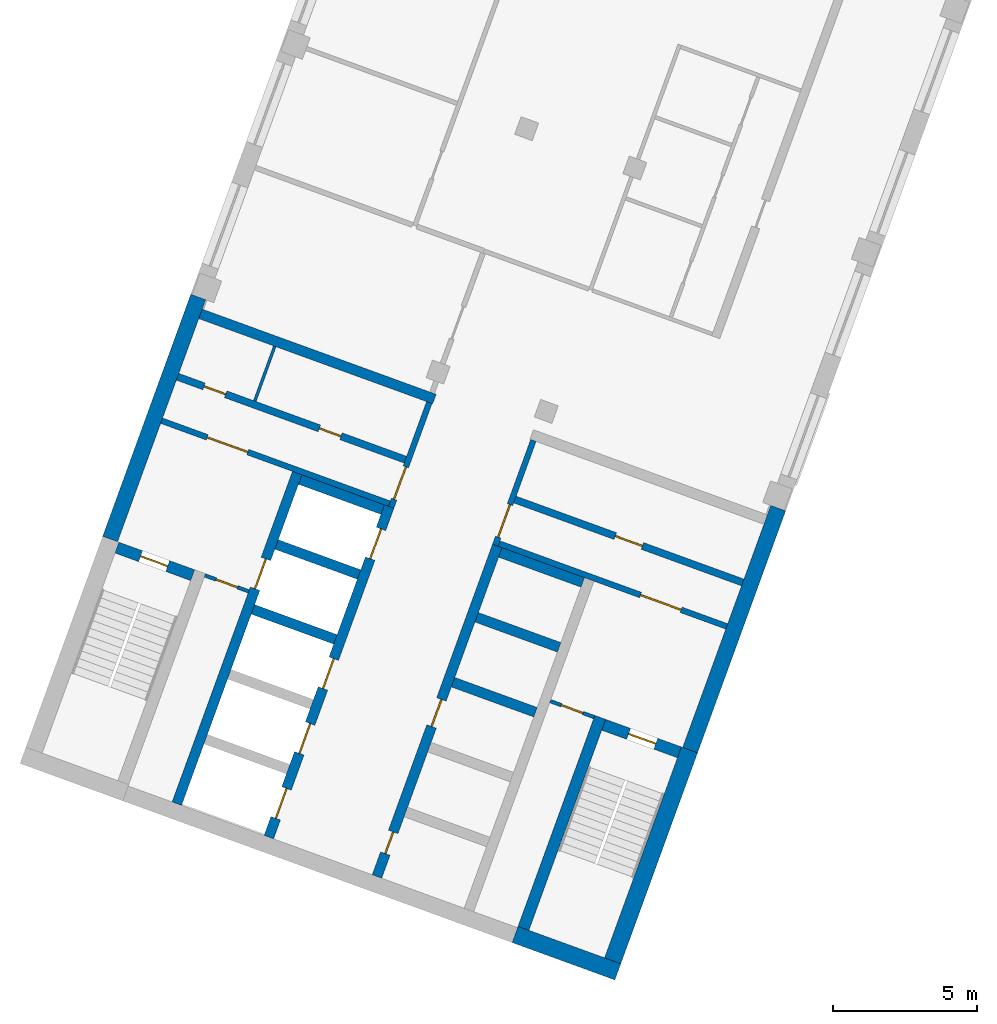
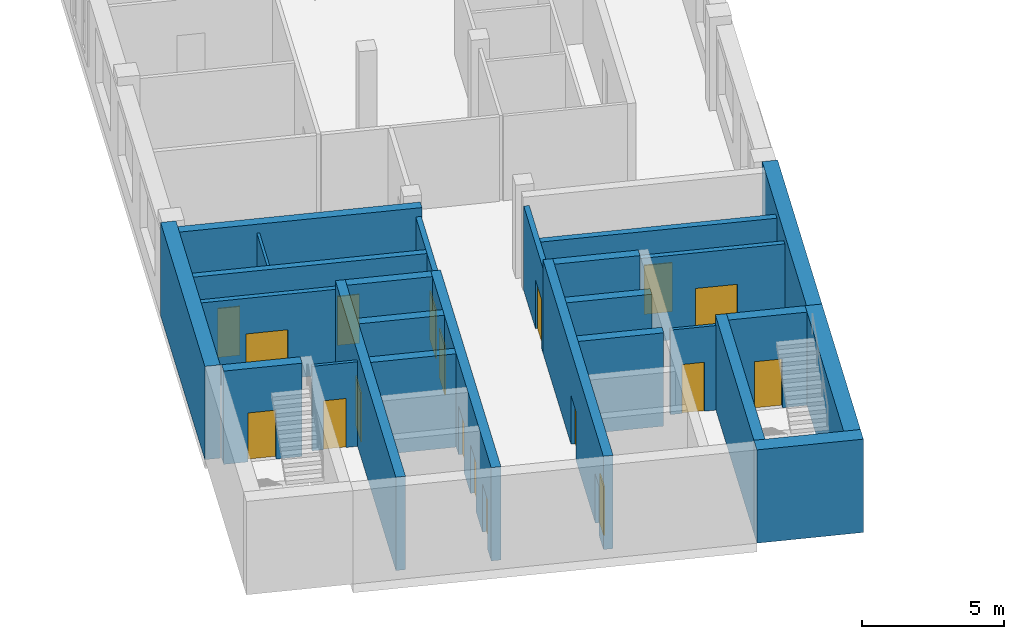
# One storey, part 2 of 8: 26 walls, 18 doors, 18 openings.
"""IFC4 building model written with IfcOpenShell, lengths in metres."""

import ifcopenshell
import ifcopenshell.guid

model = None  # the IFC model being written
_history = None  # IfcOwnerHistory: only IFC2X3 demands one
_inside = {}  # id of a spatial element -> (the spatial element, [elements in it])
_under = {}  # id of a project, library or spatial element -> (it, [spatial elements below it])
_declared = {}  # id of a project -> (the project, [libraries it declares])
_typed = {}  # id of a type object -> (the type object, [elements of that type])
_made_of = {}  # id of a material, layer set ... -> (it, [elements and type objects made of it])


def new_model(schema):
    """Start an empty IFC model of exactly this schema.

    Asked for "IFC4X3", IfcOpenShell would pick the latest addendum, in which some entities
    have other attributes; the version numbers below select the first issue.
    IFC2X3 requires an IfcOwnerHistory on every rooted entity: one is made here for all.
    """
    global model, _history
    if schema == "IFC4X3":
        model = ifcopenshell.file(schema_version=(4, 3, 0, 0))
    else:
        model = ifcopenshell.file(schema=schema)
    _inside.clear()
    _under.clear()
    _declared.clear()
    _typed.clear()
    _made_of.clear()
    _history = None
    if model.schema == "IFC2X3":
        org = make("IfcOrganization", Name="unknown")
        user = make(
            "IfcPersonAndOrganization",
            ThePerson=make("IfcPerson", FamilyName="unknown"),
            TheOrganization=org,
        )
        app = make(
            "IfcApplication",
            ApplicationDeveloper=org,
            Version="unknown",
            ApplicationFullName="unknown",
            ApplicationIdentifier="unknown",
        )
        _history = make(
            "IfcOwnerHistory",
            OwningUser=user,
            OwningApplication=app,
            ChangeAction="ADDED",
            CreationDate=0,
        )
    return model


def make(cls, **values):
    """One entity of the class cls with the attributes given. An attribute that is None is left unset."""
    return model.create_entity(
        cls, **{name: value for name, value in values.items() if value is not None}
    )


def rooted(cls, **values):
    """An entity with a GlobalId (a new one), such as an element, a storey or a relation."""
    return make(cls, GlobalId=ifcopenshell.guid.new(), OwnerHistory=_history, **values)


def si_unit(unit_type, name, prefix=None):
    """IfcSIUnit, for example si_unit("LENGTHUNIT", "METRE", prefix="MILLI")."""
    return make("IfcSIUnit", UnitType=unit_type, Prefix=prefix, Name=name)


def assignment(units):
    """IfcUnitAssignment: the units of a project."""
    return None if units is None else make("IfcUnitAssignment", Units=units)


def point(xyz):
    """IfcCartesianPoint."""
    return None if xyz is None else make("IfcCartesianPoint", Coordinates=xyz)


def direction(xyz):
    """IfcDirection."""
    return None if xyz is None else make("IfcDirection", DirectionRatios=xyz)


def frame(location, z_axis=None, x_axis=None):
    """IfcAxis2Placement3D, a coordinate frame: its origin and axes. An axis left out is left unset."""
    return make(
        "IfcAxis2Placement3D",
        Location=point(location),
        Axis=direction(z_axis),
        RefDirection=direction(x_axis),
    )


def frame_2d(location, x_axis=None):
    """IfcAxis2Placement2D, a coordinate frame in the plane: its origin and x axis."""
    return make(
        "IfcAxis2Placement2D", Location=point(location), RefDirection=direction(x_axis)
    )


def origin():
    """The frame at (0, 0, 0) with its axes left unset."""
    return frame((0.0, 0.0, 0.0))


def place(relative_to, where):
    """IfcLocalPlacement: puts the frame where relative to a parent placement (None: the world)."""
    return make(
        "IfcLocalPlacement", PlacementRelTo=relative_to, RelativePlacement=where
    )


def context(
    kind, dimensions, precision=None, world=None, true_north=None, identifier=None
):
    """IfcGeometricRepresentationContext, for example the 3D "Model" context."""
    return make(
        "IfcGeometricRepresentationContext",
        ContextIdentifier=identifier,
        ContextType=kind,
        CoordinateSpaceDimension=dimensions,
        Precision=precision,
        WorldCoordinateSystem=world,
        TrueNorth=true_north,
    )


def subcontext(parent, identifier, kind, view, scale=None):
    """IfcGeometricRepresentationSubContext, for example "Body" below "Model"."""
    return make(
        "IfcGeometricRepresentationSubContext",
        ContextIdentifier=identifier,
        ContextType=kind,
        ParentContext=parent,
        TargetScale=scale,
        TargetView=view,
    )


def project(units=None, contexts=None):
    """IfcProject with its units and contexts."""
    return rooted(
        "IfcProject",
        Name="project",
        RepresentationContexts=contexts,
        UnitsInContext=assignment(units),
    )


def spatial(cls, under=None, at=None, **own):
    """A site, building, storey or space (cls), placed at a placement, below another one or the project."""
    s = rooted(cls, ObjectPlacement=at, **own)
    if under is not None:
        _under.setdefault(under.id(), (under, []))[1].append(s)
    return s


def profile(cls, at=None, kind="AREA", **sizes):
    """A parametric profile (cls). Its sizes go by their IFC names, for example OverallWidth=200.0."""
    return make(cls, ProfileType=kind, Position=at, **sizes)


def rectangle(**sizes):
    """IfcRectangleProfileDef."""
    return profile("IfcRectangleProfileDef", **sizes)


def extrude(swept, where, along, depth):
    """IfcExtrudedAreaSolid: the profile swept, set in the frame where, extruded along a direction by depth."""
    return make(
        "IfcExtrudedAreaSolid",
        SweptArea=swept,
        Position=where,
        ExtrudedDirection=direction(along),
        Depth=depth,
    )


def shape(context_of_items, identifier, shape_type, items):
    """IfcShapeRepresentation: the items that make up one representation, for example the "Body"."""
    return make(
        "IfcShapeRepresentation",
        ContextOfItems=context_of_items,
        RepresentationIdentifier=identifier,
        RepresentationType=shape_type,
        Items=items,
    )


def material(Name=None, Category=None):
    """IfcMaterial."""
    return make("IfcMaterial", Name=Name, Category=Category)


def layer(
    of_material, thickness, ventilated=None, Name=None, Category=None, Priority=None
):
    """IfcMaterialLayer: one layer of a wall or slab, of a material (None: an air gap)."""
    return make(
        "IfcMaterialLayer",
        Material=of_material,
        LayerThickness=thickness,
        IsVentilated=ventilated,
        Name=Name,
        Category=Category,
        Priority=Priority,
    )


def layer_set(layers, Name=None):
    """IfcMaterialLayerSet."""
    return make("IfcMaterialLayerSet", MaterialLayers=layers, LayerSetName=Name)


def made_of(thing, what):
    """Note that an element or type object is made of a material, layer set ...; save() writes the relation."""
    if what is not None:
        _made_of.setdefault(what.id(), (what, []))[1].append(thing)
    return thing


def type_object(cls, material=None, **own):
    """A type object (cls), such as IfcWallType, which elements share."""
    return made_of(rooted(cls, **own), material)


def element(
    cls,
    number,
    at=None,
    inside=None,
    cuts=None,
    type_object=None,
    material=None,
    context=None,
    identifier="Body",
    shape_type=None,
    held_by="IfcProductDefinitionShape",
    body=None,
    shapes=None,
    **own,
):
    """One element of the class cls, such as IfcWall. Its Tag is "e" and its number.

    at: its placement. inside: the storey or other place that contains it. cuts: it is an
    opening in that element (IfcRelVoidsElement). A single representation is given by context,
    identifier, shape_type and body (its items); several are given by shapes. held_by: the class
    of the entity that holds the representations. save() writes the other relations.
    """
    e = rooted(cls, Tag="e%d" % number, ObjectPlacement=at, **own)
    if body is not None:
        shapes = [shape(context, identifier, shape_type, body)]
    if shapes is not None:
        e.Representation = make(held_by, Representations=shapes)
    if inside is not None:
        _inside.setdefault(inside.id(), (inside, []))[1].append(e)
    if cuts is not None:
        rooted(
            "IfcRelVoidsElement", RelatingBuildingElement=cuts, RelatedOpeningElement=e
        )
    if type_object is not None:
        _typed.setdefault(type_object.id(), (type_object, []))[1].append(e)
    return made_of(e, material)


def fill(opening, filler):
    """IfcRelFillsElement: the door or window that sits in an opening."""
    return rooted(
        "IfcRelFillsElement",
        RelatingOpeningElement=opening,
        RelatedBuildingElement=filler,
    )


def aggregate(whole, parts):
    """IfcRelAggregates: a whole, such as a stair, and the parts it consists of."""
    return rooted("IfcRelAggregates", RelatingObject=whole, RelatedObjects=parts)


def save(model, path):
    """Write the relations noted so far, then the file.

    IfcRelAggregates (storeys below a building ...), IfcRelContainedInSpatialStructure (elements
    in a storey), IfcRelDefinesByType, IfcRelAssociatesMaterial and IfcRelDeclares: one each for
    every whole, place, type object, material and project.
    """
    for whole, parts in _under.values():
        aggregate(whole, parts)
    for where, things in _inside.values():
        rooted(
            "IfcRelContainedInSpatialStructure",
            RelatedElements=things,
            RelatingStructure=where,
        )
    for kind, things in _typed.values():
        rooted("IfcRelDefinesByType", RelatedObjects=things, RelatingType=kind)
    for what, things in _made_of.values():
        rooted("IfcRelAssociatesMaterial", RelatedObjects=things, RelatingMaterial=what)
    for by, libraries in _declared.values():
        rooted("IfcRelDeclares", RelatingContext=by, RelatedDefinitions=libraries)
    model.write(path)


model = new_model("IFC4")

# Units and contexts
model_context = context("Model", 3, precision=1e-05, world=origin(), true_north=direction((0.0, 1.0)))
body_context = subcontext(model_context, "Body", "Model", "MODEL_VIEW")
ifc_project = project(units=[si_unit("LENGTHUNIT", "METRE"), si_unit("AREAUNIT", "SQUARE_METRE"), si_unit("VOLUMEUNIT", "CUBIC_METRE"), si_unit("PLANEANGLEUNIT", "RADIAN"), si_unit("MASSUNIT", "GRAM", prefix="KILO")], contexts=[model_context])

# Site, building, storey
site_placement = place(None, origin())
site = spatial("IfcSite", under=ifc_project, at=site_placement, CompositionType="ELEMENT")
building_placement = place(site_placement, origin())
building = spatial("IfcBuilding", under=site, at=building_placement, Name="Skarvind Civic Tower", CompositionType="ELEMENT")
storey_placement = place(building_placement, frame((0.0, 0.0, 174.5)))
storey = spatial("IfcBuildingStorey", under=building, at=storey_placement, Name="L41", CompositionType="ELEMENT", Elevation=174.5)

# Wall, opening, door
ifc_material_1 = material(Name="Fire-rated masonry partition", Category="masonry")
ifc_layer_1 = layer(ifc_material_1, 0.199951171875)
ifc_layer_set_1 = layer_set([ifc_layer_1], Name="Core enclosure wall 200")
wall_type_1 = type_object("IfcWallType", Name="Core enclosure wall 200", PredefinedType="PARTITIONING", material=ifc_layer_set_1)
wall_1_placement = place(storey_placement, frame((31.45947265625, 93.67822265625, 0.0), z_axis=(0.0, 0.0, 1.0), x_axis=(0.341985870128, 0.939705094502, 0.0)))
wall_1 = element("IfcWall", 1, at=wall_1_placement, inside=storey, type_object=wall_type_1, Name="Core wall C2", PredefinedType="PARTITIONING", context=body_context, shape_type="SweptSolid", body=[
    extrude(rectangle(XDim=3.875, YDim=0.199951171875, at=frame_2d((1.9375, 0.0))), origin(), (0.0, 0.0, 1.0), 3.625),
])
opening_1_placement = place(wall_1_placement, frame((0.300048828125, 0.0, 0.0)))
opening_1 = element("IfcOpeningElement", 2, at=opening_1_placement, cuts=wall_1, Name="Opening D-L41-C2-07", PredefinedType="OPENING", context=body_context, shape_type="SweptSolid", body=[
    extrude(rectangle(XDim=1.199951171875, YDim=2.10009765625, at=frame_2d((0.60009765625, 1.050048828125))), frame((0.0, 0.10986328125, 0.0), z_axis=(0.0, -1.0, 0.0), x_axis=(1.0, 0.0, 0.0)), (0.0, 0.0, 1.0), 0.219970703125),
])
ifc_material_2 = material(Name="Fire-rated steel door", Category="steel")
door_type_1 = type_object("IfcDoorType", Name="Core lobby door 1200", OperationType="NOTDEFINED", PredefinedType="DOOR", material=ifc_material_2)
door_1_placement = place(opening_1_placement, origin())
door_1 = element("IfcDoor", 3, at=door_1_placement, inside=storey, type_object=door_type_1, Name="Fire door", OperationType="DOUBLE_DOOR_SINGLE_SWING", OverallHeight=2.10009765625, OverallWidth=1.199951171875, PredefinedType="DOOR", context=body_context, shape_type="SweptSolid", body=[
    extrude(rectangle(XDim=1.199951171875, YDim=2.10009765625, at=frame_2d((0.60009765625, 1.050048828125))), frame((0.0, 0.02490234375, 0.0), z_axis=(0.0, -1.0, 0.0), x_axis=(1.0, 0.0, 0.0)), (0.0, 0.0, 1.0), 0.050048828125),
])
fill(opening_1, door_1)

wall_2_placement = place(storey_placement, frame((23.482666015625, 96.68798828125, 0.0), z_axis=(0.0, 0.0, 1.0), x_axis=(0.939691007314, -0.342024576271, 0.0)))
wall_2 = element("IfcWall", 4, at=wall_2_placement, inside=storey, type_object=wall_type_1, Name="Core wall C2", PredefinedType="PARTITIONING", context=body_context, shape_type="SweptSolid", body=[
    extrude(rectangle(XDim=8.425048828125, YDim=0.199951171875, at=frame_2d((4.21240234375, 0.0))), origin(), (0.0, 0.0, 1.0), 3.625),
])
opening_2_placement = place(wall_2_placement, frame((1.6875, 0.0, 0.0)))
opening_2 = element("IfcOpeningElement", 5, at=opening_2_placement, cuts=wall_2, Name="Opening D-L41-C2-08", PredefinedType="OPENING", context=body_context, shape_type="SweptSolid", body=[
    extrude(rectangle(XDim=1.5, YDim=2.10009765625, at=frame_2d((0.75, 1.050048828125))), frame((0.0, 0.10986328125, 0.0), z_axis=(0.0, -1.0, 0.0), x_axis=(1.0, 0.0, 0.0)), (0.0, 0.0, 1.0), 0.219970703125),
])
door_type_2 = type_object("IfcDoorType", Name="Fire door 1500", OperationType="NOTDEFINED", PredefinedType="DOOR", material=ifc_material_2)
door_2_placement = place(opening_2_placement, origin())
door_2 = element("IfcDoor", 6, at=door_2_placement, inside=storey, type_object=door_type_2, Name="Fire door", OperationType="DOUBLE_DOOR_SINGLE_SWING", OverallHeight=2.10009765625, OverallWidth=1.5, PredefinedType="DOOR", context=body_context, shape_type="SweptSolid", body=[
    extrude(rectangle(XDim=1.5, YDim=2.10009765625, at=frame_2d((0.75, 1.050048828125))), frame((0.0, 0.02490234375, 0.0), z_axis=(0.0, -1.0, 0.0), x_axis=(1.0, 0.0, 0.0)), (0.0, 0.0, 1.0), 0.050048828125),
])
fill(opening_2, door_2)

wall_3_placement = place(storey_placement, frame((36.402587890625, 96.0029296875, 0.0), z_axis=(0.0, 0.0, 1.0), x_axis=(-0.342041503764, -0.939684845947, 0.0)))
wall_3 = element("IfcWall", 7, at=wall_3_placement, inside=storey, type_object=wall_type_1, Name="Core wall C2", PredefinedType="PARTITIONING", context=body_context, shape_type="SweptSolid", body=[
    extrude(rectangle(XDim=3.875, YDim=0.199951171875, at=frame_2d((1.9375, 0.0))), origin(), (0.0, 0.0, 1.0), 3.625),
])
opening_3_placement = place(wall_3_placement, frame((2.375, 0.0, 0.0)))
opening_3 = element("IfcOpeningElement", 8, at=opening_3_placement, cuts=wall_3, Name="Opening D-L41-C2-13", PredefinedType="OPENING", context=body_context, shape_type="SweptSolid", body=[
    extrude(rectangle(XDim=1.199951171875, YDim=2.10009765625, at=frame_2d((0.60009765625, 1.050048828125))), frame((0.0, 0.10986328125, 0.0), z_axis=(0.0, -1.0, 0.0), x_axis=(1.0, 0.0, 0.0)), (0.0, 0.0, 1.0), 0.219970703125),
])
door_3_placement = place(opening_3_placement, origin())
door_3 = element("IfcDoor", 9, at=door_3_placement, inside=storey, type_object=door_type_1, Name="Fire door", OperationType="DOUBLE_DOOR_SINGLE_SWING", OverallHeight=2.10009765625, OverallWidth=1.199951171875, PredefinedType="DOOR", context=body_context, shape_type="SweptSolid", body=[
    extrude(rectangle(XDim=1.199951171875, YDim=2.10009765625, at=frame_2d((0.60009765625, 1.050048828125))), frame((0.0, 0.02490234375, 0.0), z_axis=(0.0, -1.0, 0.0), x_axis=(1.0, 0.0, 0.0)), (0.0, 0.0, 1.0), 0.050048828125),
])
fill(opening_3, door_3)

wall_4_placement = place(storey_placement, frame((35.205322265625, 92.42138671875, 0.0), z_axis=(0.0, 0.0, 1.0), x_axis=(0.939691007314, -0.342024576271, 0.0)))
wall_4 = element("IfcWall", 10, at=wall_4_placement, inside=storey, type_object=wall_type_1, Name="Core wall C2", PredefinedType="PARTITIONING", context=body_context, shape_type="SweptSolid", body=[
    extrude(rectangle(XDim=8.425048828125, YDim=0.199951171875, at=frame_2d((4.21240234375, 0.0))), origin(), (0.0, 0.0, 1.0), 3.625),
])
opening_4_placement = place(wall_4_placement, frame((5.237548828125, 0.0, 0.0)))
opening_4 = element("IfcOpeningElement", 11, at=opening_4_placement, cuts=wall_4, Name="Opening D-L41-C2-14", PredefinedType="OPENING", context=body_context, shape_type="SweptSolid", body=[
    extrude(rectangle(XDim=1.5, YDim=2.10009765625, at=frame_2d((0.75, 1.050048828125))), frame((0.0, 0.10986328125, 0.0), z_axis=(0.0, -1.0, 0.0), x_axis=(1.0, 0.0, 0.0)), (0.0, 0.0, 1.0), 0.219970703125),
])
door_4_placement = place(opening_4_placement, origin())
door_4 = element("IfcDoor", 12, at=door_4_placement, inside=storey, type_object=door_type_2, Name="Fire door", OperationType="DOUBLE_DOOR_SINGLE_SWING", OverallHeight=2.10009765625, OverallWidth=1.5, PredefinedType="DOOR", context=body_context, shape_type="SweptSolid", body=[
    extrude(rectangle(XDim=1.5, YDim=2.10009765625, at=frame_2d((0.75, 1.050048828125))), frame((0.0, 0.02490234375, 0.0), z_axis=(0.0, -1.0, 0.0), x_axis=(1.0, 0.0, 0.0)), (0.0, 0.0, 1.0), 0.050048828125),
])
fill(opening_4, door_4)

# Wall
ifc_material_3 = material(Name="Fire-rated plasterboard partition")
ifc_layer_2 = layer(ifc_material_3, 0.10009765625)
ifc_layer_set_2 = layer_set([ifc_layer_2], Name="Core partition wall 100")
wall_type_2 = type_object("IfcWallType", Name="Core partition wall 100", PredefinedType="PARTITIONING", material=ifc_layer_set_2)
wall_5_placement = place(storey_placement, frame((26.7216796875, 97.371337890625, 0.0), z_axis=(0.0, 0.0, 1.0), x_axis=(0.342004391282, 0.939698353911, 0.0)))
element("IfcWall", 13, at=wall_5_placement, inside=storey, type_object=wall_type_2, Name="Core wall C2", PredefinedType="PARTITIONING", context=body_context, shape_type="SweptSolid", body=[
    extrude(rectangle(XDim=2.025146484375, YDim=0.10009765625, at=frame_2d((1.0126953125, 0.0))), origin(), (0.0, 0.0, 1.0), 3.625),
])

# Wall, openings, doors
ifc_material_4 = material(Name="Concrete C60", Category="concrete")
ifc_layer_3 = layer(ifc_material_4, 0.35009765625)
ifc_layer_set_3 = layer_set([ifc_layer_3], Name="Core wall 350 C60")
wall_type_3 = type_object("IfcWallType", Name="Core wall 350 C60", PredefinedType="SHEAR", material=ifc_layer_set_3)
wall_6_placement = place(storey_placement, frame((30.966552734375, 80.84814453125, 0.0), z_axis=(0.0, 0.0, 1.0), x_axis=(0.34201563943, 0.939694260058, 0.0)))
wall_6 = element("IfcWall", 14, at=wall_6_placement, inside=storey, type_object=wall_type_3, Name="Core wall C2 south lift row front L41", PredefinedType="SHEAR", context=body_context, shape_type="SweptSolid", body=[
    extrude(rectangle(XDim=12.22509765625, YDim=0.35009765625, at=frame_2d((6.112548828125, 0.0))), origin(), (0.0, 0.0, 1.0), 4.0),
])
opening_5_placement = place(wall_6_placement, frame((0.85009765625, 0.0, 0.0)))
opening_5 = element("IfcOpeningElement", 15, at=opening_5_placement, cuts=wall_6, Name="Opening D-L41-C2-05", PredefinedType="OPENING", context=body_context, shape_type="SweptSolid", body=[
    extrude(rectangle(XDim=0.800048828125, YDim=2.10009765625, at=frame_2d((0.39990234375, 1.050048828125))), frame((0.0, 0.18505859375, 0.0), z_axis=(0.0, -1.0, 0.0), x_axis=(1.0, 0.0, 0.0)), (0.0, 0.0, 1.0), 0.3701171875),
])
opening_6_placement = place(wall_6_placement, frame((5.550048828125, 0.0, 0.0)))
opening_6 = element("IfcOpeningElement", 16, at=opening_6_placement, cuts=wall_6, Name="Opening D-L41-C2-06", PredefinedType="OPENING", context=body_context, shape_type="SweptSolid", body=[
    extrude(rectangle(XDim=1.0, YDim=2.10009765625, at=frame_2d((0.5, 1.050048828125))), frame((0.0, 0.18505859375, 0.0), z_axis=(0.0, -1.0, 0.0), x_axis=(1.0, 0.0, 0.0)), (0.0, 0.0, 1.0), 0.3701171875),
])
door_type_3 = type_object("IfcDoorType", Name="Core riser door 800", OperationType="NOTDEFINED", PredefinedType="DOOR", material=ifc_material_2)
door_5_placement = place(opening_5_placement, origin())
door_5 = element("IfcDoor", 17, at=door_5_placement, inside=storey, type_object=door_type_3, Name="Riser door", OperationType="SINGLE_SWING_LEFT", OverallHeight=2.10009765625, OverallWidth=0.800048828125, PredefinedType="DOOR", context=body_context, shape_type="SweptSolid", body=[
    extrude(rectangle(XDim=0.800048828125, YDim=2.10009765625, at=frame_2d((0.39990234375, 1.050048828125))), frame((0.0, 0.02490234375, 0.0), z_axis=(0.0, -1.0, 0.0), x_axis=(1.0, 0.0, 0.0)), (0.0, 0.0, 1.0), 0.050048828125),
])
fill(opening_5, door_5)
door_type_4 = type_object("IfcDoorType", Name="Fire door 1000", OperationType="NOTDEFINED", PredefinedType="DOOR", material=ifc_material_2)
door_6_placement = place(opening_6_placement, origin())
door_6 = element("IfcDoor", 18, at=door_6_placement, inside=storey, type_object=door_type_4, Name="Fire door", OperationType="SINGLE_SWING_RIGHT", OverallHeight=2.10009765625, OverallWidth=1.0, PredefinedType="DOOR", context=body_context, shape_type="SweptSolid", body=[
    extrude(rectangle(XDim=1.0, YDim=2.10009765625, at=frame_2d((0.5, 1.050048828125))), frame((0.0, 0.02490234375, 0.0), z_axis=(0.0, -1.0, 0.0), x_axis=(1.0, 0.0, 0.0)), (0.0, 0.0, 1.0), 0.050048828125),
])
fill(opening_6, door_6)

# Walls
for number, where, z_axis, x_axis, name in (
    (19, (36.4765625, 86.557861328125, 0.0), (0.0, 0.0, 1.0), (-0.939683528043, 0.3420451244, 0.0), "Core wall C2 south lift row division 3 L41"),
    (20, (37.297607421875, 88.813232421875, 0.0), (0.0, 0.0, 1.0), (-0.939692892192, 0.342019397644, 0.0), "Core wall C2 south lift row division 4 L41"),
    (21, (38.118408203125, 91.068359375, 0.0), (0.0, 0.0, 1.0), (-0.939692892192, 0.342019397644, 0.0), "Core wall C2 south lift row division 5 L41"),
):
    element("IfcWall", number, at=place(storey_placement, frame(where, z_axis=z_axis, x_axis=x_axis)), inside=storey, type_object=wall_type_3, Name=name, PredefinedType="SHEAR", context=body_context, shape_type="SweptSolid", body=[
        extrude(rectangle(XDim=3.050048828125, YDim=0.35009765625, at=frame_2d((1.52490234375, 0.0))), origin(), (0.0, 0.0, 1.0), 4.0),
    ])

# Wall, openings, doors
wall_7_placement = place(storey_placement, frame((27.207763671875, 82.21630859375, 0.0), z_axis=(0.0, 0.0, 1.0), x_axis=(0.34201563943, 0.939694260058, 0.0)))
wall_7 = element("IfcWall", 22, at=wall_7_placement, inside=storey, type_object=wall_type_3, Name="Core wall C2 north lift row front L41", PredefinedType="SHEAR", context=body_context, shape_type="SweptSolid", body=[
    extrude(rectangle(XDim=12.22509765625, YDim=0.35009765625, at=frame_2d((6.112548828125, 0.0))), origin(), (0.0, 0.0, 1.0), 4.0),
])
opening_7_placement = place(wall_7_placement, frame((0.699951171875, 0.0, 0.0)))
opening_7 = element("IfcOpeningElement", 23, at=opening_7_placement, cuts=wall_7, Name="Opening LD43201", PredefinedType="OPENING", context=body_context, shape_type="SweptSolid", body=[
    extrude(rectangle(XDim=1.10009765625, YDim=2.10009765625, at=frame_2d((0.550048828125, 1.050048828125))), frame((0.0, 0.18505859375, 0.0), z_axis=(0.0, -1.0, 0.0), x_axis=(1.0, 0.0, 0.0)), (0.0, 0.0, 1.0), 0.3701171875),
])
opening_8_placement = place(wall_7_placement, frame((3.10009765625, 0.0, 0.0)))
opening_8 = element("IfcOpeningElement", 24, at=opening_8_placement, cuts=wall_7, Name="Opening LD43202", PredefinedType="OPENING", context=body_context, shape_type="SweptSolid", body=[
    extrude(rectangle(XDim=1.10009765625, YDim=2.10009765625, at=frame_2d((0.550048828125, 1.050048828125))), frame((0.0, 0.18505859375, 0.0), z_axis=(0.0, -1.0, 0.0), x_axis=(1.0, 0.0, 0.0)), (0.0, 0.0, 1.0), 0.3701171875),
])
opening_9_placement = place(wall_7_placement, frame((5.5, 0.0, 0.0)))
opening_9 = element("IfcOpeningElement", 25, at=opening_9_placement, cuts=wall_7, Name="Opening LD43203", PredefinedType="OPENING", context=body_context, shape_type="SweptSolid", body=[
    extrude(rectangle(XDim=1.10009765625, YDim=2.10009765625, at=frame_2d((0.550048828125, 1.050048828125))), frame((0.0, 0.18505859375, 0.0), z_axis=(0.0, -1.0, 0.0), x_axis=(1.0, 0.0, 0.0)), (0.0, 0.0, 1.0), 0.3701171875),
])
opening_10_placement = place(wall_7_placement, frame((10.300048828125, 0.0, 0.0)))
opening_10 = element("IfcOpeningElement", 26, at=opening_10_placement, cuts=wall_7, Name="Opening LD43205", PredefinedType="OPENING", context=body_context, shape_type="SweptSolid", body=[
    extrude(rectangle(XDim=1.10009765625, YDim=2.10009765625, at=frame_2d((0.550048828125, 1.050048828125))), frame((0.0, 0.18505859375, 0.0), z_axis=(0.0, -1.0, 0.0), x_axis=(1.0, 0.0, 0.0)), (0.0, 0.0, 1.0), 0.3701171875),
])
ifc_material_5 = material(Name="Stainless steel landing door", Category="steel")
door_type_5 = type_object("IfcDoorType", Name="Lift landing door 1100", OperationType="DOUBLE_DOOR_SLIDING", PredefinedType="DOOR", material=ifc_material_5)
door_7_placement = place(opening_7_placement, origin())
door_7 = element("IfcDoor", 27, at=door_7_placement, inside=storey, type_object=door_type_5, Name="Lift landing door", OperationType="DOUBLE_DOOR_SLIDING", OverallHeight=2.10009765625, OverallWidth=1.10009765625, PredefinedType="DOOR", context=body_context, shape_type="SweptSolid", body=[
    extrude(rectangle(XDim=1.10009765625, YDim=2.10009765625, at=frame_2d((0.550048828125, 1.050048828125))), frame((0.0, 0.02490234375, 0.0), z_axis=(0.0, -1.0, 0.0), x_axis=(1.0, 0.0, 0.0)), (0.0, 0.0, 1.0), 0.050048828125),
])
fill(opening_7, door_7)
door_8_placement = place(opening_8_placement, origin())
door_8 = element("IfcDoor", 28, at=door_8_placement, inside=storey, type_object=door_type_5, Name="Lift landing door", OperationType="DOUBLE_DOOR_SLIDING", OverallHeight=2.10009765625, OverallWidth=1.10009765625, PredefinedType="DOOR", context=body_context, shape_type="SweptSolid", body=[
    extrude(rectangle(XDim=1.10009765625, YDim=2.10009765625, at=frame_2d((0.550048828125, 1.050048828125))), frame((0.0, 0.02490234375, 0.0), z_axis=(0.0, -1.0, 0.0), x_axis=(1.0, 0.0, 0.0)), (0.0, 0.0, 1.0), 0.050048828125),
])
fill(opening_8, door_8)
door_9_placement = place(opening_9_placement, origin())
door_9 = element("IfcDoor", 29, at=door_9_placement, inside=storey, type_object=door_type_5, Name="Lift landing door", OperationType="DOUBLE_DOOR_SLIDING", OverallHeight=2.10009765625, OverallWidth=1.10009765625, PredefinedType="DOOR", context=body_context, shape_type="SweptSolid", body=[
    extrude(rectangle(XDim=1.10009765625, YDim=2.10009765625, at=frame_2d((0.550048828125, 1.050048828125))), frame((0.0, 0.02490234375, 0.0), z_axis=(0.0, -1.0, 0.0), x_axis=(1.0, 0.0, 0.0)), (0.0, 0.0, 1.0), 0.050048828125),
])
fill(opening_9, door_9)
door_10_placement = place(opening_10_placement, origin())
door_10 = element("IfcDoor", 30, at=door_10_placement, inside=storey, type_object=door_type_5, Name="Lift landing door", OperationType="DOUBLE_DOOR_SLIDING", OverallHeight=2.10009765625, OverallWidth=1.10009765625, PredefinedType="DOOR", context=body_context, shape_type="SweptSolid", body=[
    extrude(rectangle(XDim=1.10009765625, YDim=2.10009765625, at=frame_2d((0.550048828125, 1.050048828125))), frame((0.0, 0.02490234375, 0.0), z_axis=(0.0, -1.0, 0.0), x_axis=(1.0, 0.0, 0.0)), (0.0, 0.0, 1.0), 0.050048828125),
])
fill(opening_10, door_10)

# Wall, opening, door
wall_8_placement = place(storey_placement, frame((24.0126953125, 83.379150390625, 0.0), z_axis=(0.0, 0.0, 1.0), x_axis=(0.34201563943, 0.939694260058, 0.0)))
wall_8 = element("IfcWall", 31, at=wall_8_placement, inside=storey, type_object=wall_type_3, Name="Core wall C2 north lift row back L41", PredefinedType="SHEAR", context=body_context, shape_type="SweptSolid", body=[
    extrude(rectangle(XDim=12.22509765625, YDim=0.35009765625, at=frame_2d((6.112548828125, 0.0))), origin(), (0.0, 0.0, 1.0), 4.0),
])
opening_11_placement = place(wall_8_placement, frame((7.949951171875, 0.0, 0.0)))
opening_11 = element("IfcOpeningElement", 32, at=opening_11_placement, cuts=wall_8, Name="Opening LD43204", PredefinedType="OPENING", context=body_context, shape_type="SweptSolid", body=[
    extrude(rectangle(XDim=1.10009765625, YDim=2.10009765625, at=frame_2d((0.550048828125, 1.050048828125))), frame((0.0, 0.18505859375, 0.0), z_axis=(0.0, -1.0, 0.0), x_axis=(1.0, 0.0, 0.0)), (0.0, 0.0, 1.0), 0.3701171875),
])
door_11_placement = place(opening_11_placement, origin())
door_11 = element("IfcDoor", 33, at=door_11_placement, inside=storey, type_object=door_type_5, Name="Lift landing door", OperationType="DOUBLE_DOOR_SLIDING", OverallHeight=2.10009765625, OverallWidth=1.10009765625, PredefinedType="DOOR", context=body_context, shape_type="SweptSolid", body=[
    extrude(rectangle(XDim=1.10009765625, YDim=2.10009765625, at=frame_2d((0.550048828125, 1.050048828125))), frame((0.0, 0.02490234375, 0.0), z_axis=(0.0, -1.0, 0.0), x_axis=(1.0, 0.0, 0.0)), (0.0, 0.0, 1.0), 0.050048828125),
])
fill(opening_11, door_11)

# Walls
wall_9_placement = place(storey_placement, frame((29.52294921875, 89.0888671875, 0.0), z_axis=(0.0, 0.0, 1.0), x_axis=(-0.939692892192, 0.342019397644, 0.0)))
element("IfcWall", 34, at=wall_9_placement, inside=storey, type_object=wall_type_3, Name="Core wall C2 north lift row division 3 L41", PredefinedType="SHEAR", context=body_context, shape_type="SweptSolid", body=[
    extrude(rectangle(XDim=3.050048828125, YDim=0.35009765625, at=frame_2d((1.52490234375, 0.0))), origin(), (0.0, 0.0, 1.0), 4.0),
])
wall_10_placement = place(storey_placement, frame((30.34375, 91.34423828125, 0.0), z_axis=(0.0, 0.0, 1.0), x_axis=(-0.939709254651, 0.341974438698, 0.0)))
element("IfcWall", 35, at=wall_10_placement, inside=storey, type_object=wall_type_3, Name="Core wall C2 north lift row division 4 L41", PredefinedType="SHEAR", context=body_context, shape_type="SweptSolid", body=[
    extrude(rectangle(XDim=3.0498046875, YDim=0.35009765625, at=frame_2d((1.52490234375, 0.0))), origin(), (0.0, 0.0, 1.0), 4.0),
])
wall_11_placement = place(storey_placement, frame((31.16455078125, 93.599365234375, 0.0), z_axis=(0.0, 0.0, 1.0), x_axis=(-0.939683528043, 0.3420451244, 0.0)))
element("IfcWall", 36, at=wall_11_placement, inside=storey, type_object=wall_type_3, Name="Core wall C2 north lift row division 5 L41", PredefinedType="SHEAR", context=body_context, shape_type="SweptSolid", body=[
    extrude(rectangle(XDim=3.050048828125, YDim=0.35009765625, at=frame_2d((1.52490234375, 0.0))), origin(), (0.0, 0.0, 1.0), 4.0),
])
wall_12_placement = place(storey_placement, frame((32.9619140625, 97.44140625, 0.0), z_axis=(0.0, 0.0, 1.0), x_axis=(-0.939689545667, 0.342028592028, 0.0)))
element("IfcWall", 37, at=wall_12_placement, inside=storey, type_object=wall_type_3, Name="Core wall C2 north inner face L41", PredefinedType="SHEAR", context=body_context, shape_type="SweptSolid", body=[
    extrude(rectangle(XDim=8.64990234375, YDim=0.35009765625, at=frame_2d((4.324951171875, 0.0))), origin(), (0.0, 0.0, 1.0), 4.0),
])
ifc_layer_4 = layer(ifc_material_4, 0.39990234375)
ifc_layer_set_4 = layer_set([ifc_layer_4], Name="Core wall 400 C60")
wall_type_4 = type_object("IfcWallType", Name="Core wall 400 C60", PredefinedType="SHEAR", material=ifc_layer_set_4)
wall_13_placement = place(storey_placement, frame((36.057861328125, 79.04833984375, 0.0), z_axis=(0.0, 0.0, 1.0), x_axis=(0.342016982193, 0.939693771338, 0.0)))
element("IfcWall", 38, at=wall_13_placement, inside=storey, type_object=wall_type_4, Name="Core wall C2 south stair inner L41", PredefinedType="SHEAR", context=body_context, shape_type="SweptSolid", body=[
    extrude(rectangle(XDim=7.800048828125, YDim=0.39990234375, at=frame_2d((3.89990234375, 0.0))), origin(), (0.0, 0.0, 1.0), 4.0),
])

# Wall, opening, door
wall_14_placement = place(storey_placement, frame((41.476318359375, 85.163818359375, 0.0), z_axis=(0.0, 0.0, 1.0), x_axis=(-0.939678810556, 0.342058084236, 0.0)))
wall_14 = element("IfcWall", 39, at=wall_14_placement, inside=storey, type_object=wall_type_4, Name="Core wall C2 south stair end L41", PredefinedType="SHEAR", context=body_context, shape_type="SweptSolid", body=[
    extrude(rectangle(XDim=2.800048828125, YDim=0.39990234375, at=frame_2d((1.39990234375, 0.0))), origin(), (0.0, 0.0, 1.0), 4.0),
])
opening_12_placement = place(wall_14_placement, frame((0.875, 0.0, 0.0)))
opening_12 = element("IfcOpeningElement", 40, at=opening_12_placement, cuts=wall_14, Name="Opening D-L41-C2-15", PredefinedType="OPENING", context=body_context, shape_type="SweptSolid", body=[
    extrude(rectangle(XDim=1.0, YDim=2.10009765625, at=frame_2d((0.5, 1.050048828125))), frame((0.0, 0.2099609375, 0.0), z_axis=(0.0, -1.0, 0.0), x_axis=(1.0, 0.0, 0.0)), (0.0, 0.0, 1.0), 0.419921875),
])
door_12_placement = place(opening_12_placement, origin())
door_12 = element("IfcDoor", 41, at=door_12_placement, inside=storey, type_object=door_type_4, Name="Fire door", OperationType="SINGLE_SWING_RIGHT", OverallHeight=2.10009765625, OverallWidth=1.0, PredefinedType="DOOR", context=body_context, shape_type="SweptSolid", body=[
    extrude(rectangle(XDim=1.0, YDim=2.10009765625, at=frame_2d((0.5, 1.050048828125))), frame((0.0, 0.02490234375, 0.0), z_axis=(0.0, -1.0, 0.0), x_axis=(1.0, 0.0, 0.0)), (0.0, 0.0, 1.0), 0.050048828125),
])
fill(opening_12, door_12)

wall_15_placement = place(storey_placement, frame((24.56201171875, 91.3203125, 0.0), z_axis=(0.0, 0.0, 1.0), x_axis=(-0.939717030584, 0.341953070509, 0.0)))
wall_15 = element("IfcWall", 42, at=wall_15_placement, inside=storey, type_object=wall_type_4, Name="Core wall C2 north stair end L41", PredefinedType="SHEAR", context=body_context, shape_type="SweptSolid", body=[
    extrude(rectangle(XDim=2.800048828125, YDim=0.39990234375, at=frame_2d((1.39990234375, 0.0))), origin(), (0.0, 0.0, 1.0), 4.0),
])
opening_13_placement = place(wall_15_placement, frame((0.925048828125, 0.0, 0.0)))
opening_13 = element("IfcOpeningElement", 43, at=opening_13_placement, cuts=wall_15, Name="Opening D-L41-C2-09", PredefinedType="OPENING", context=body_context, shape_type="SweptSolid", body=[
    extrude(rectangle(XDim=1.0, YDim=2.10009765625, at=frame_2d((0.5, 1.050048828125))), frame((0.0, 0.2099609375, 0.0), z_axis=(0.0, -1.0, 0.0), x_axis=(1.0, 0.0, 0.0)), (0.0, 0.0, 1.0), 0.419921875),
])
door_13_placement = place(opening_13_placement, origin())
door_13 = element("IfcDoor", 44, at=door_13_placement, inside=storey, type_object=door_type_4, Name="Fire door", OperationType="SINGLE_SWING_LEFT", OverallHeight=2.10009765625, OverallWidth=1.0, PredefinedType="DOOR", context=body_context, shape_type="SweptSolid", body=[
    extrude(rectangle(XDim=1.0, YDim=2.10009765625, at=frame_2d((0.5, 1.050048828125))), frame((0.0, 0.02490234375, 0.0), z_axis=(0.0, -1.0, 0.0), x_axis=(1.0, 0.0, 0.0)), (0.0, 0.0, 1.0), 0.050048828125),
])
fill(opening_13, door_13)

# Walls
ifc_layer_5 = layer(ifc_material_4, 0.550048828125)
ifc_layer_set_5 = layer_set([ifc_layer_5], Name="Core wall 550 C60")
wall_type_5 = type_object("IfcWallType", Name="Core wall 550 C60", PredefinedType="SHEAR", material=ifc_layer_set_5)
wall_16_placement = place(storey_placement, frame((41.85009765625, 85.24072265625, 0.0), z_axis=(0.0, 0.0, 1.0), x_axis=(0.34201902012, 0.939693029598, 0.0)))
element("IfcWall", 45, at=wall_16_placement, inside=storey, type_object=wall_type_5, Name="Core wall C2 south side L41", PredefinedType="SHEAR", context=body_context, shape_type="SweptSolid", body=[
    extrude(rectangle(XDim=8.949951171875, YDim=0.550048828125, at=frame_2d((4.47509765625, 0.0))), origin(), (0.0, 0.0, 1.0), 4.0),
])
wall_17_placement = place(storey_placement, frame((21.69384765625, 92.576904296875, 0.0), z_axis=(0.0, 0.0, 1.0), x_axis=(0.342010253184, 0.939696220444, 0.0)))
element("IfcWall", 46, at=wall_17_placement, inside=storey, type_object=wall_type_5, Name="Core wall C2 north side L41", PredefinedType="SHEAR", context=body_context, shape_type="SweptSolid", body=[
    extrude(rectangle(XDim=8.9501953125, YDim=0.550048828125, at=frame_2d((4.47509765625, 0.0))), origin(), (0.0, 0.0, 1.0), 4.0),
])
ifc_layer_6 = layer(ifc_material_4, 0.60009765625)
ifc_layer_set_6 = layer_set([ifc_layer_6], Name="Core wall 600 C60")
wall_type_6 = type_object("IfcWallType", Name="Core wall 600 C60", PredefinedType="SHEAR", material=ifc_layer_set_6)
wall_18_placement = place(storey_placement, frame((39.338134765625, 77.53515625, 0.0), z_axis=(0.0, 0.0, 1.0), x_axis=(-0.939701471648, 0.341995824804, 0.0)))
element("IfcWall", 47, at=wall_18_placement, inside=storey, type_object=wall_type_6, Name="Core wall C2 tip at the south stair L41", PredefinedType="SHEAR", context=body_context, shape_type="SweptSolid", body=[
    extrude(rectangle(XDim=3.800048828125, YDim=0.60009765625, at=frame_2d((1.89990234375, 0.0))), origin(), (0.0, 0.0, 1.0), 4.0),
])
wall_19_placement = place(storey_placement, frame((39.158935546875, 77.919677734375, 0.0), z_axis=(0.0, 0.0, 1.0), x_axis=(0.342016982193, 0.939693771338, 0.0)))
element("IfcWall", 48, at=wall_19_placement, inside=storey, type_object=wall_type_6, Name="Core wall C2 south side at the stair L41", PredefinedType="SHEAR", context=body_context, shape_type="SweptSolid", body=[
    extrude(rectangle(XDim=7.800048828125, YDim=0.60009765625, at=frame_2d((3.89990234375, 0.0))), origin(), (0.0, 0.0, 1.0), 4.0),
])

# Wall, opening, door
ifc_layer_7 = layer(ifc_material_1, 0.125)
ifc_layer_set_7 = layer_set([ifc_layer_7], Name="Riser wall 125")
wall_type_7 = type_object("IfcWallType", Name="Riser wall 125", PredefinedType="PARTITIONING", material=ifc_layer_set_7)
wall_20_placement = place(storey_placement, frame((24.98486328125, 91.3125, 0.0), z_axis=(0.0, 0.0, 1.0), x_axis=(0.939705651352, -0.341984340019, 0.0)))
wall_20 = element("IfcWall", 49, at=wall_20_placement, inside=storey, type_object=wall_type_7, Name="Core wall C2", PredefinedType="PARTITIONING", context=body_context, shape_type="SweptSolid", body=[
    extrude(rectangle(XDim=1.624755859375, YDim=0.125, at=frame_2d((0.8125, 0.0))), origin(), (0.0, 0.0, 1.0), 3.625),
])
opening_14_placement = place(wall_20_placement, frame((0.41259765625, 0.0, 0.0)))
opening_14 = element("IfcOpeningElement", 50, at=opening_14_placement, cuts=wall_20, Name="Opening D-L41-C2-10", PredefinedType="OPENING", context=body_context, shape_type="SweptSolid", body=[
    extrude(rectangle(XDim=0.800048828125, YDim=2.10009765625, at=frame_2d((0.39990234375, 1.050048828125))), frame((0.0, 0.072509765625, 0.0), z_axis=(0.0, -1.0, 0.0), x_axis=(1.0, 0.0, 0.0)), (0.0, 0.0, 1.0), 0.14501953125),
])
door_14_placement = place(opening_14_placement, origin())
door_14 = element("IfcDoor", 51, at=door_14_placement, inside=storey, type_object=door_type_3, Name="Riser door", OperationType="SINGLE_SWING_RIGHT", OverallHeight=2.10009765625, OverallWidth=0.800048828125, PredefinedType="DOOR", context=body_context, shape_type="SweptSolid", body=[
    extrude(rectangle(XDim=0.800048828125, YDim=2.10009765625, at=frame_2d((0.39990234375, 1.050048828125))), frame((0.0, 0.02490234375, 0.0), z_axis=(0.0, -1.0, 0.0), x_axis=(1.0, 0.0, 0.0)), (0.0, 0.0, 1.0), 0.050048828125),
])
fill(opening_14, door_14)

wall_21_placement = place(storey_placement, frame((36.989501953125, 86.943359375, 0.0), z_axis=(0.0, 0.0, 1.0), x_axis=(0.939657357267, -0.342117013511, 0.0)))
wall_21 = element("IfcWall", 52, at=wall_21_placement, inside=storey, type_object=wall_type_7, Name="Core wall C2", PredefinedType="PARTITIONING", context=body_context, shape_type="SweptSolid", body=[
    extrude(rectangle(XDim=1.625, YDim=0.125, at=frame_2d((0.8125, 0.0))), origin(), (0.0, 0.0, 1.0), 3.625),
])
opening_15_placement = place(wall_21_placement, frame((0.41259765625, 0.0, 0.0)))
opening_15 = element("IfcOpeningElement", 53, at=opening_15_placement, cuts=wall_21, Name="Opening D-L41-C2-16", PredefinedType="OPENING", context=body_context, shape_type="SweptSolid", body=[
    extrude(rectangle(XDim=0.800048828125, YDim=2.10009765625, at=frame_2d((0.39990234375, 1.050048828125))), frame((0.0, 0.072509765625, 0.0), z_axis=(0.0, -1.0, 0.0), x_axis=(1.0, 0.0, 0.0)), (0.0, 0.0, 1.0), 0.14501953125),
])
door_15_placement = place(opening_15_placement, origin())
door_15 = element("IfcDoor", 54, at=door_15_placement, inside=storey, type_object=door_type_3, Name="Riser door", OperationType="SINGLE_SWING_LEFT", OverallHeight=2.10009765625, OverallWidth=0.800048828125, PredefinedType="DOOR", context=body_context, shape_type="SweptSolid", body=[
    extrude(rectangle(XDim=0.800048828125, YDim=2.10009765625, at=frame_2d((0.39990234375, 1.050048828125))), frame((0.0, 0.02490234375, 0.0), z_axis=(0.0, -1.0, 0.0), x_axis=(1.0, 0.0, 0.0)), (0.0, 0.0, 1.0), 0.050048828125),
])
fill(opening_15, door_15)

# Wall, openings, doors
ifc_layer_8 = layer(ifc_material_1, 0.25)
ifc_layer_set_8 = layer_set([ifc_layer_8], Name="Service block wall 250")
wall_type_8 = type_object("IfcWallType", Name="Service block wall 250", PredefinedType="PARTITIONING", material=ifc_layer_set_8)
wall_22_placement = place(storey_placement, frame((24.03857421875, 98.215087890625, 0.0), z_axis=(0.0, 0.0, 1.0), x_axis=(0.939687617333, -0.342033889887, 0.0)))
wall_22 = element("IfcWall", 55, at=wall_22_placement, inside=storey, type_object=wall_type_8, Name="Core wall C2", PredefinedType="PARTITIONING", context=body_context, shape_type="SweptSolid", body=[
    extrude(rectangle(XDim=8.4248046875, YDim=0.25, at=frame_2d((4.21240234375, 0.0))), origin(), (0.0, 0.0, 1.0), 3.625),
])
opening_16_placement = place(wall_22_placement, frame((5.242431640625, 0.0, 0.0)))
opening_16 = element("IfcOpeningElement", 56, at=opening_16_placement, cuts=wall_22, Name="Opening D-L41-C2-11", PredefinedType="OPENING", context=body_context, shape_type="SweptSolid", body=[
    extrude(rectangle(XDim=0.800048828125, YDim=2.10009765625, at=frame_2d((0.39990234375, 1.050048828125))), frame((0.0, 0.135009765625, 0.0), z_axis=(0.0, -1.0, 0.0), x_axis=(1.0, 0.0, 0.0)), (0.0, 0.0, 1.0), 0.27001953125),
])
opening_17_placement = place(wall_22_placement, frame((0.97998046875, 0.0, 0.0)))
opening_17 = element("IfcOpeningElement", 57, at=opening_17_placement, cuts=wall_22, Name="Opening D-L41-C2-12", PredefinedType="OPENING", context=body_context, shape_type="SweptSolid", body=[
    extrude(rectangle(XDim=0.800048828125, YDim=2.10009765625, at=frame_2d((0.39990234375, 1.050048828125))), frame((0.0, 0.135009765625, 0.0), z_axis=(0.0, -1.0, 0.0), x_axis=(1.0, 0.0, 0.0)), (0.0, 0.0, 1.0), 0.27001953125),
])
door_16_placement = place(opening_16_placement, origin())
door_16 = element("IfcDoor", 58, at=door_16_placement, inside=storey, type_object=door_type_3, Name="Riser door", OperationType="SINGLE_SWING_LEFT", OverallHeight=2.10009765625, OverallWidth=0.800048828125, PredefinedType="DOOR", context=body_context, shape_type="SweptSolid", body=[
    extrude(rectangle(XDim=0.800048828125, YDim=2.10009765625, at=frame_2d((0.39990234375, 1.050048828125))), frame((0.0, 0.02490234375, 0.0), z_axis=(0.0, -1.0, 0.0), x_axis=(1.0, 0.0, 0.0)), (0.0, 0.0, 1.0), 0.050048828125),
])
fill(opening_16, door_16)
door_17_placement = place(opening_17_placement, origin())
door_17 = element("IfcDoor", 59, at=door_17_placement, inside=storey, type_object=door_type_3, Name="Riser door", OperationType="SINGLE_SWING_RIGHT", OverallHeight=2.10009765625, OverallWidth=0.800048828125, PredefinedType="DOOR", context=body_context, shape_type="SweptSolid", body=[
    extrude(rectangle(XDim=0.800048828125, YDim=2.10009765625, at=frame_2d((0.39990234375, 1.050048828125))), frame((0.0, 0.02490234375, 0.0), z_axis=(0.0, -1.0, 0.0), x_axis=(1.0, 0.0, 0.0)), (0.0, 0.0, 1.0), 0.050048828125),
])
fill(opening_17, door_17)

# Wall, opening, door
wall_23_placement = place(storey_placement, frame((35.76123046875, 93.9482421875, 0.0), z_axis=(0.0, 0.0, 1.0), x_axis=(0.93969693093, -0.342008301071, 0.0)))
wall_23 = element("IfcWall", 60, at=wall_23_placement, inside=storey, type_object=wall_type_8, Name="Core wall C2", PredefinedType="PARTITIONING", context=body_context, shape_type="SweptSolid", body=[
    extrude(rectangle(XDim=8.4248046875, YDim=0.25, at=frame_2d((4.21240234375, 0.0))), origin(), (0.0, 0.0, 1.0), 3.625),
])
opening_18_placement = place(wall_23_placement, frame((3.71240234375, 0.0, 0.0)))
opening_18 = element("IfcOpeningElement", 61, at=opening_18_placement, cuts=wall_23, Name="Opening D-L41-C2-17", PredefinedType="OPENING", context=body_context, shape_type="SweptSolid", body=[
    extrude(rectangle(XDim=1.0, YDim=2.10009765625, at=frame_2d((0.5, 1.050048828125))), frame((0.0, 0.135009765625, 0.0), z_axis=(0.0, -1.0, 0.0), x_axis=(1.0, 0.0, 0.0)), (0.0, 0.0, 1.0), 0.27001953125),
])
door_18_placement = place(opening_18_placement, origin())
door_18 = element("IfcDoor", 62, at=door_18_placement, inside=storey, type_object=door_type_4, Name="Fire door", OperationType="SINGLE_SWING_RIGHT", OverallHeight=2.10009765625, OverallWidth=1.0, PredefinedType="DOOR", context=body_context, shape_type="SweptSolid", body=[
    extrude(rectangle(XDim=1.0, YDim=2.10009765625, at=frame_2d((0.5, 1.050048828125))), frame((0.0, 0.02490234375, 0.0), z_axis=(0.0, -1.0, 0.0), x_axis=(1.0, 0.0, 0.0)), (0.0, 0.0, 1.0), 0.050048828125),
])
fill(opening_18, door_18)

save(model, "model.ifc")
